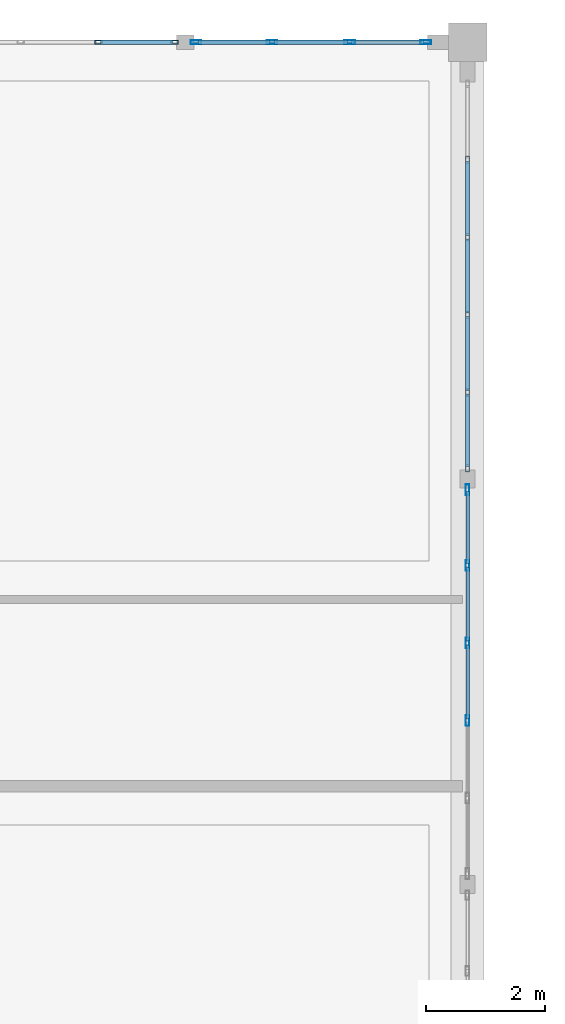
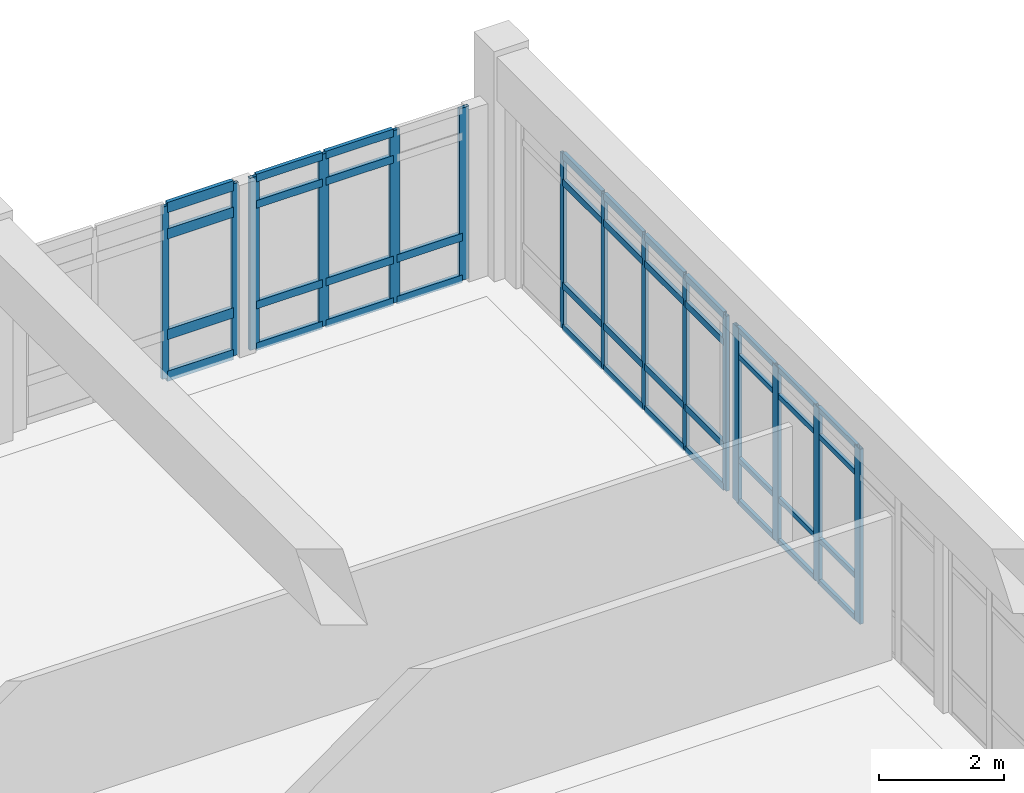
# One storey, part 67 of 109: 57 members, 4 elements without a shape of their own.
"""IFC4 building model written with IfcOpenShell, lengths in metres."""

from ifc_helpers import new_model, si_unit, direction, frame, origin, origin_2d, place, context, subcontext, project, spatial, hollow_rectangle, extrude, material, layer, layer_set, material_profile, profile_set, type_object, element, aggregate, save


model = new_model("IFC4")

# Units and contexts
model_context = context("Model", 3, precision=1e-05, world=origin(), true_north=direction((0.0, 1.0)))
body_context = subcontext(model_context, "Body", "Model", "MODEL_VIEW")
ifc_project = project(units=[si_unit("LENGTHUNIT", "METRE"), si_unit("AREAUNIT", "SQUARE_METRE"), si_unit("VOLUMEUNIT", "CUBIC_METRE"), si_unit("PLANEANGLEUNIT", "RADIAN"), si_unit("MASSUNIT", "GRAM", prefix="KILO")], contexts=[model_context])

# Site, building, storey
site_placement = place(None, origin())
site = spatial("IfcSite", under=ifc_project, at=site_placement, CompositionType="ELEMENT")
building_placement = place(site_placement, origin())
building = spatial("IfcBuilding", under=site, at=building_placement, Name="Fikremerkos Civic Library", CompositionType="ELEMENT")
storey_placement = place(building_placement, frame((0.0, 0.0, 5.39990234375)))
storey = spatial("IfcBuildingStorey", under=building, at=storey_placement, Name="L01", CompositionType="ELEMENT", Elevation=5.39990234375)

# Curtain wall, members
ifc_material = material(Name="Anodized aluminium Frame", Category="aluminium")
ifc_layer_1 = layer(ifc_material, 0.159912109375, Name="Anodized aluminium Frame")
ifc_layer_set_1 = layer_set([ifc_layer_1], Name="Anodized aluminium Frame")
curtain_wall_type_1 = type_object("IfcCurtainWallType", Name="Unitised curtain wall CW-05 3800x4100", PredefinedType="USERDEFINED", material=ifc_layer_set_1)
curtain_wall_1_placement = place(storey_placement, origin())
curtain_wall_1 = element("IfcCurtainWall", 1, at=curtain_wall_1_placement, inside=storey, type_object=curtain_wall_type_1, Name="Unitised curtain wall CW-05 L01 #113", ObjectType="UNITISED CURTAIN WALL", PredefinedType="USERDEFINED")
ifc_material_profile_1 = material_profile(ifc_material, hollow_rectangle(XDim=0.06494140625, YDim=0.179931640625, WallThickness=0.00439453125, at=origin_2d()), Name="ALU 180x65x4.5")
ifc_profile_set_1 = profile_set([ifc_material_profile_1], Name="Anodized aluminium Frame")
member_type_1 = type_object("IfcMemberType", Name="Curtain mullion CWM-01 ALU 180x65x4.5", PredefinedType="MULLION", material=ifc_profile_set_1)
member_1_placement = place(storey_placement, frame((134.39990234375, 110.051513671875, 0.0), z_axis=(0.0, 0.0, 1.0), x_axis=(1.0, 0.0, 0.0)))
member_1 = element("IfcMember", 2, at=member_1_placement, type_object=member_type_1, Name="CW-05 mullion 1", PredefinedType="MULLION", context=body_context, shape_type="SweptSolid", body=[
    extrude(hollow_rectangle(XDim=0.06494140625, YDim=0.179931640625, WallThickness=0.00439453125, at=origin_2d()), origin(), (0.0, 0.0, 1.0), 3.420166015625),
])
member_2_placement = place(storey_placement, frame((134.39990234375, 108.775390625, 0.0), z_axis=(0.0, 0.0, 1.0), x_axis=(1.0, 0.0, 0.0)))
member_2 = element("IfcMember", 3, at=member_2_placement, type_object=member_type_1, Name="CW-05 mullion 2", PredefinedType="MULLION", context=body_context, shape_type="SweptSolid", body=[
    extrude(hollow_rectangle(XDim=0.06494140625, YDim=0.179931640625, WallThickness=0.00439453125, at=origin_2d()), origin(), (0.0, 0.0, 1.0), 3.420166015625),
])
member_3_placement = place(storey_placement, frame((134.39990234375, 107.466796875, 0.0), z_axis=(0.0, 0.0, 1.0), x_axis=(1.0, 0.0, 0.0)))
member_3 = element("IfcMember", 4, at=member_3_placement, type_object=member_type_1, Name="CW-05 mullion 3", PredefinedType="MULLION", context=body_context, shape_type="SweptSolid", body=[
    extrude(hollow_rectangle(XDim=0.06494140625, YDim=0.179931640625, WallThickness=0.00439453125, at=origin_2d()), origin(), (0.0, 0.0, 1.0), 3.420166015625),
])
member_4_placement = place(storey_placement, frame((134.39990234375, 106.158203125, 0.0), z_axis=(0.0, 0.0, 1.0), x_axis=(1.0, 0.0, 0.0)))
member_4 = element("IfcMember", 5, at=member_4_placement, type_object=member_type_1, Name="CW-05 mullion 4", PredefinedType="MULLION", context=body_context, shape_type="SweptSolid", body=[
    extrude(hollow_rectangle(XDim=0.06494140625, YDim=0.179931640625, WallThickness=0.00439453125, at=origin_2d()), origin(), (0.0, 0.0, 1.0), 3.420166015625),
])

ifc_layer_2 = layer(ifc_material, 0.159912109375, Name="Anodized aluminium Frame")
ifc_layer_set_2 = layer_set([ifc_layer_2], Name="Anodized aluminium Frame")
curtain_wall_type_2 = type_object("IfcCurtainWallType", Name="Unitised curtain wall CW-17 4600x3600", PredefinedType="USERDEFINED", material=ifc_layer_set_2)
curtain_wall_2_placement = place(storey_placement, origin())
curtain_wall_2 = element("IfcCurtainWall", 6, at=curtain_wall_2_placement, inside=storey, type_object=curtain_wall_type_2, Name="Unitised curtain wall CW-17 L01 #143", ObjectType="UNITISED CURTAIN WALL", PredefinedType="USERDEFINED")
member_5_placement = place(storey_placement, frame((129.820068359375, 117.60009765625, 0.0), z_axis=(0.0, 0.0, 1.0), x_axis=(0.0, 1.0, 0.0)))
member_5 = element("IfcMember", 7, at=member_5_placement, type_object=member_type_1, Name="CW-17 mullion 1", PredefinedType="MULLION", context=body_context, shape_type="SweptSolid", body=[
    extrude(hollow_rectangle(XDim=0.06494140625, YDim=0.179931640625, WallThickness=0.00439453125, at=origin_2d()), origin(), (0.0, 0.0, 1.0), 3.3671875),
])
member_6_placement = place(storey_placement, frame((131.1005859375, 117.60009765625, 0.0), z_axis=(0.0, 0.0, 1.0), x_axis=(0.0, 1.0, 0.0)))
member_6 = element("IfcMember", 8, at=member_6_placement, type_object=member_type_1, Name="CW-17 mullion 2", PredefinedType="MULLION", context=body_context, shape_type="SweptSolid", body=[
    extrude(hollow_rectangle(XDim=0.06494140625, YDim=0.179931640625, WallThickness=0.00439453125, at=origin_2d()), origin(), (0.0, 0.0, 1.0), 3.3671875),
])
member_7_placement = place(storey_placement, frame((132.413818359375, 117.60009765625, 0.0), z_axis=(0.0, 0.0, 1.0), x_axis=(0.0, 1.0, 0.0)))
member_7 = element("IfcMember", 9, at=member_7_placement, type_object=member_type_1, Name="CW-17 mullion 3", PredefinedType="MULLION", context=body_context, shape_type="SweptSolid", body=[
    extrude(hollow_rectangle(XDim=0.06494140625, YDim=0.179931640625, WallThickness=0.00439453125, at=origin_2d()), origin(), (0.0, 0.0, 1.0), 3.3671875),
])
member_8_placement = place(storey_placement, frame((133.694580078125, 117.60009765625, 0.0), z_axis=(0.0, 0.0, 1.0), x_axis=(0.0, 1.0, 0.0)))
member_8 = element("IfcMember", 10, at=member_8_placement, type_object=member_type_1, Name="CW-17 mullion 4", PredefinedType="MULLION", context=body_context, shape_type="SweptSolid", body=[
    extrude(hollow_rectangle(XDim=0.06494140625, YDim=0.179931640625, WallThickness=0.00439453125, at=origin_2d()), origin(), (0.0, 0.0, 1.0), 3.3671875),
])

ifc_layer_3 = layer(ifc_material, 0.159912109375, Name="Anodized aluminium Frame")
ifc_layer_set_3 = layer_set([ifc_layer_3], Name="Anodized aluminium Frame")
curtain_wall_type_3 = type_object("IfcCurtainWallType", Name="Unitised curtain wall CW-04 3400x3600", PredefinedType="USERDEFINED", material=ifc_layer_set_3)
curtain_wall_3_placement = place(storey_placement, origin())
curtain_wall_3 = element("IfcCurtainWall", 11, at=curtain_wall_3_placement, inside=storey, type_object=curtain_wall_type_3, Name="Unitised curtain wall CW-04 L01 #112", ObjectType="UNITISED CURTAIN WALL", PredefinedType="USERDEFINED")
ifc_material_profile_2 = material_profile(ifc_material, hollow_rectangle(XDim=0.06005859375, YDim=0.1201171875, WallThickness=0.00390625, at=origin_2d()), Name="ALU 120x60x4")
ifc_profile_set_2 = profile_set([ifc_material_profile_2], Name="Anodized aluminium Frame")
member_type_2 = type_object("IfcMemberType", Name="Curtain mullion CWM-04 ALU 120x60x4", PredefinedType="MULLION", material=ifc_profile_set_2)
member_9_placement = place(storey_placement, frame((134.39990234375, 115.618408203125, 0.0), z_axis=(0.0, 0.0, 1.0), x_axis=(1.0, 0.0, 0.0)))
member_9 = element("IfcMember", 12, at=member_9_placement, type_object=member_type_2, Name="CW-04 mullion 2", PredefinedType="MULLION", context=body_context, shape_type="SweptSolid", body=[
    extrude(hollow_rectangle(XDim=0.06005859375, YDim=0.1201171875, WallThickness=0.00390625, at=origin_2d()), origin(), (0.0, 0.0, 1.0), 3.420166015625),
])
member_10_placement = place(storey_placement, frame((134.39990234375, 114.309814453125, 0.0), z_axis=(0.0, 0.0, 1.0), x_axis=(1.0, 0.0, 0.0)))
member_10 = element("IfcMember", 13, at=member_10_placement, type_object=member_type_2, Name="CW-04 mullion 3", PredefinedType="MULLION", context=body_context, shape_type="SweptSolid", body=[
    extrude(hollow_rectangle(XDim=0.06005859375, YDim=0.1201171875, WallThickness=0.00390625, at=origin_2d()), origin(), (0.0, 0.0, 1.0), 3.420166015625),
])
member_11_placement = place(storey_placement, frame((134.39990234375, 113.001220703125, 0.0), z_axis=(0.0, 0.0, 1.0), x_axis=(1.0, 0.0, 0.0)))
member_11 = element("IfcMember", 14, at=member_11_placement, type_object=member_type_2, Name="CW-04 mullion 4", PredefinedType="MULLION", context=body_context, shape_type="SweptSolid", body=[
    extrude(hollow_rectangle(XDim=0.06005859375, YDim=0.1201171875, WallThickness=0.00390625, at=origin_2d()), origin(), (0.0, 0.0, 1.0), 3.420166015625),
])
member_12_placement = place(storey_placement, frame((134.39990234375, 111.692626953125, 0.0), z_axis=(0.0, 0.0, 1.0), x_axis=(1.0, 0.0, 0.0)))
member_12 = element("IfcMember", 15, at=member_12_placement, type_object=member_type_2, Name="CW-04 mullion 5", PredefinedType="MULLION", context=body_context, shape_type="SweptSolid", body=[
    extrude(hollow_rectangle(XDim=0.06005859375, YDim=0.1201171875, WallThickness=0.00390625, at=origin_2d()), origin(), (0.0, 0.0, 1.0), 3.420166015625),
])
member_13_placement = place(storey_placement, frame((134.39990234375, 110.4140625, 0.0), z_axis=(0.0, 0.0, 1.0), x_axis=(1.0, 0.0, 0.0)))
member_13 = element("IfcMember", 16, at=member_13_placement, type_object=member_type_2, Name="CW-04 mullion 6", PredefinedType="MULLION", context=body_context, shape_type="SweptSolid", body=[
    extrude(hollow_rectangle(XDim=0.06005859375, YDim=0.1201171875, WallThickness=0.00390625, at=origin_2d()), origin(), (0.0, 0.0, 1.0), 3.420166015625),
])

ifc_layer_4 = layer(ifc_material, 0.159912109375, Name="Anodized aluminium Frame")
ifc_layer_set_4 = layer_set([ifc_layer_4], Name="Anodized aluminium Frame")
curtain_wall_type_4 = type_object("IfcCurtainWallType", Name="Unitised curtain wall CW-16 3100x4100", PredefinedType="USERDEFINED", material=ifc_layer_set_4)
curtain_wall_4_placement = place(storey_placement, origin())
curtain_wall_4 = element("IfcCurtainWall", 17, at=curtain_wall_4_placement, inside=storey, type_object=curtain_wall_type_4, Name="Unitised curtain wall CW-16 L01 #142", ObjectType="UNITISED CURTAIN WALL", PredefinedType="USERDEFINED")
member_14_placement = place(storey_placement, frame((128.17431640625, 117.60009765625, 0.0), z_axis=(0.0, 0.0, 1.0), x_axis=(0.0, 1.0, 0.0)))
member_14 = element("IfcMember", 18, at=member_14_placement, type_object=member_type_2, Name="CW-16 mullion 3", PredefinedType="MULLION", context=body_context, shape_type="SweptSolid", body=[
    extrude(hollow_rectangle(XDim=0.06005859375, YDim=0.1201171875, WallThickness=0.00390625, at=origin_2d()), origin(), (0.0, 0.0, 1.0), 3.3671875),
])
member_15_placement = place(storey_placement, frame((129.45751953125, 117.60009765625, 0.0), z_axis=(0.0, 0.0, 1.0), x_axis=(0.0, 1.0, 0.0)))
member_15 = element("IfcMember", 19, at=member_15_placement, type_object=member_type_2, Name="CW-16 mullion 4", PredefinedType="MULLION", context=body_context, shape_type="SweptSolid", body=[
    extrude(hollow_rectangle(XDim=0.06005859375, YDim=0.1201171875, WallThickness=0.00390625, at=origin_2d()), origin(), (0.0, 0.0, 1.0), 3.3671875),
])

# Member
ifc_material_profile_3 = material_profile(ifc_material, hollow_rectangle(XDim=0.070068359375, YDim=0.14990234375, WallThickness=0.00439453125, at=origin_2d()), Name="ALU 150x70x4.5")
ifc_profile_set_3 = profile_set([ifc_material_profile_3], Name="Anodized aluminium Frame")
member_type_3 = type_object("IfcMemberType", Name="Curtain transom CWT-01 ALU 150x70x4.5", PredefinedType="USERDEFINED", material=ifc_profile_set_3)
member_16_placement = place(storey_placement, frame((129.8525390625, 117.60009765625, 0.03515625), z_axis=(1.0, 0.0, 0.0), x_axis=(0.0, 1.0, 0.0)))
member_16 = element("IfcMember", 20, at=member_16_placement, type_object=member_type_3, Name="CW-17 transom 1.1", ObjectType="TRANSOM", PredefinedType="USERDEFINED", context=body_context, shape_type="SweptSolid", body=[
    extrude(hollow_rectangle(XDim=0.070068359375, YDim=0.14990234375, WallThickness=0.00439453125, at=origin_2d()), origin(), (0.0, 0.0, 1.0), 1.215576171875),
])

member_17_placement = place(storey_placement, frame((129.8525390625, 117.60009765625, 0.85009765625), z_axis=(1.0, 0.0, 0.0), x_axis=(0.0, 1.0, 0.0)))
member_17 = element("IfcMember", 21, at=member_17_placement, type_object=member_type_3, Name="CW-17 transom 1.2", ObjectType="TRANSOM", PredefinedType="USERDEFINED", context=body_context, shape_type="SweptSolid", body=[
    extrude(hollow_rectangle(XDim=0.070068359375, YDim=0.14990234375, WallThickness=0.00439453125, at=origin_2d()), origin(), (0.0, 0.0, 1.0), 1.215576171875),
])

member_18_placement = place(storey_placement, frame((129.8525390625, 117.60009765625, 2.8173828125), z_axis=(1.0, 0.0, 0.0), x_axis=(0.0, 1.0, 0.0)))
member_18 = element("IfcMember", 22, at=member_18_placement, type_object=member_type_3, Name="CW-17 transom 1.3", ObjectType="TRANSOM", PredefinedType="USERDEFINED", context=body_context, shape_type="SweptSolid", body=[
    extrude(hollow_rectangle(XDim=0.070068359375, YDim=0.14990234375, WallThickness=0.00439453125, at=origin_2d()), origin(), (0.0, 0.0, 1.0), 1.215576171875),
])

member_19_placement = place(storey_placement, frame((129.8525390625, 117.60009765625, 3.332275390625), z_axis=(1.0, 0.0, 0.0), x_axis=(0.0, 1.0, 0.0)))
member_19 = element("IfcMember", 23, at=member_19_placement, type_object=member_type_3, Name="CW-17 transom 1.4", ObjectType="TRANSOM", PredefinedType="USERDEFINED", context=body_context, shape_type="SweptSolid", body=[
    extrude(hollow_rectangle(XDim=0.070068359375, YDim=0.14990234375, WallThickness=0.00439453125, at=origin_2d()), origin(), (0.0, 0.0, 1.0), 1.215576171875),
])

member_20_placement = place(storey_placement, frame((131.133056640625, 117.60009765625, 0.03515625), z_axis=(1.0, 0.0, 0.0), x_axis=(0.0, 1.0, 0.0)))
member_20 = element("IfcMember", 24, at=member_20_placement, type_object=member_type_3, Name="CW-17 transom 2.1", ObjectType="TRANSOM", PredefinedType="USERDEFINED", context=body_context, shape_type="SweptSolid", body=[
    extrude(hollow_rectangle(XDim=0.070068359375, YDim=0.14990234375, WallThickness=0.00439453125, at=origin_2d()), origin(), (0.0, 0.0, 1.0), 1.248291015625),
])

member_21_placement = place(storey_placement, frame((131.133056640625, 117.60009765625, 0.85009765625), z_axis=(1.0, 0.0, 0.0), x_axis=(0.0, 1.0, 0.0)))
member_21 = element("IfcMember", 25, at=member_21_placement, type_object=member_type_3, Name="CW-17 transom 2.2", ObjectType="TRANSOM", PredefinedType="USERDEFINED", context=body_context, shape_type="SweptSolid", body=[
    extrude(hollow_rectangle(XDim=0.070068359375, YDim=0.14990234375, WallThickness=0.00439453125, at=origin_2d()), origin(), (0.0, 0.0, 1.0), 1.248291015625),
])

member_22_placement = place(storey_placement, frame((131.133056640625, 117.60009765625, 2.8173828125), z_axis=(1.0, 0.0, 0.0), x_axis=(0.0, 1.0, 0.0)))
member_22 = element("IfcMember", 26, at=member_22_placement, type_object=member_type_3, Name="CW-17 transom 2.3", ObjectType="TRANSOM", PredefinedType="USERDEFINED", context=body_context, shape_type="SweptSolid", body=[
    extrude(hollow_rectangle(XDim=0.070068359375, YDim=0.14990234375, WallThickness=0.00439453125, at=origin_2d()), origin(), (0.0, 0.0, 1.0), 1.248291015625),
])

member_23_placement = place(storey_placement, frame((131.133056640625, 117.60009765625, 3.332275390625), z_axis=(1.0, 0.0, 0.0), x_axis=(0.0, 1.0, 0.0)))
member_23 = element("IfcMember", 27, at=member_23_placement, type_object=member_type_3, Name="CW-17 transom 2.4", ObjectType="TRANSOM", PredefinedType="USERDEFINED", context=body_context, shape_type="SweptSolid", body=[
    extrude(hollow_rectangle(XDim=0.070068359375, YDim=0.14990234375, WallThickness=0.00439453125, at=origin_2d()), origin(), (0.0, 0.0, 1.0), 1.248291015625),
])

member_24_placement = place(storey_placement, frame((132.4462890625, 117.60009765625, 0.03515625), z_axis=(1.0, 0.0, 0.0), x_axis=(0.0, 1.0, 0.0)))
member_24 = element("IfcMember", 28, at=member_24_placement, type_object=member_type_3, Name="CW-17 transom 3.1", ObjectType="TRANSOM", PredefinedType="USERDEFINED", context=body_context, shape_type="SweptSolid", body=[
    extrude(hollow_rectangle(XDim=0.070068359375, YDim=0.14990234375, WallThickness=0.00439453125, at=origin_2d()), origin(), (0.0, 0.0, 1.0), 1.2158203125),
])

member_25_placement = place(storey_placement, frame((132.4462890625, 117.60009765625, 0.85009765625), z_axis=(1.0, 0.0, 0.0), x_axis=(0.0, 1.0, 0.0)))
member_25 = element("IfcMember", 29, at=member_25_placement, type_object=member_type_3, Name="CW-17 transom 3.2", ObjectType="TRANSOM", PredefinedType="USERDEFINED", context=body_context, shape_type="SweptSolid", body=[
    extrude(hollow_rectangle(XDim=0.070068359375, YDim=0.14990234375, WallThickness=0.00439453125, at=origin_2d()), origin(), (0.0, 0.0, 1.0), 1.2158203125),
])

aggregate(curtain_wall_2, [member_5, member_6, member_7, member_8, member_16, member_17, member_18, member_19, member_20, member_21, member_22, member_23, member_24, member_25])

ifc_material_profile_4 = material_profile(ifc_material, hollow_rectangle(XDim=0.06494140625, YDim=0.135009765625, WallThickness=0.00439453125, at=origin_2d()), Name="ALU 135x65x4.5")
ifc_profile_set_4 = profile_set([ifc_material_profile_4], Name="Anodized aluminium Frame")
member_type_4 = type_object("IfcMemberType", Name="Curtain transom CWT-02 ALU 135x65x4.5", PredefinedType="USERDEFINED", material=ifc_profile_set_4)
member_26_placement = place(storey_placement, frame((134.39990234375, 115.58837890625, 0.03271484375), z_axis=(0.0, -1.0, 0.0), x_axis=(1.0, 0.0, 0.0)))
member_26 = element("IfcMember", 30, at=member_26_placement, type_object=member_type_4, Name="CW-04 transom 2.1", ObjectType="TRANSOM", PredefinedType="USERDEFINED", context=body_context, shape_type="SweptSolid", body=[
    extrude(hollow_rectangle(XDim=0.06494140625, YDim=0.135009765625, WallThickness=0.00439453125, at=origin_2d()), origin(), (0.0, 0.0, 1.0), 1.24853515625),
])

member_27_placement = place(storey_placement, frame((134.39990234375, 115.58837890625, 0.85009765625), z_axis=(0.0, -1.0, 0.0), x_axis=(1.0, 0.0, 0.0)))
member_27 = element("IfcMember", 31, at=member_27_placement, type_object=member_type_4, Name="CW-04 transom 2.2", ObjectType="TRANSOM", PredefinedType="USERDEFINED", context=body_context, shape_type="SweptSolid", body=[
    extrude(hollow_rectangle(XDim=0.06494140625, YDim=0.135009765625, WallThickness=0.00439453125, at=origin_2d()), origin(), (0.0, 0.0, 1.0), 1.24853515625),
])

member_28_placement = place(storey_placement, frame((134.39990234375, 115.58837890625, 2.8701171875), z_axis=(0.0, -1.0, 0.0), x_axis=(1.0, 0.0, 0.0)))
member_28 = element("IfcMember", 32, at=member_28_placement, type_object=member_type_4, Name="CW-04 transom 2.3", ObjectType="TRANSOM", PredefinedType="USERDEFINED", context=body_context, shape_type="SweptSolid", body=[
    extrude(hollow_rectangle(XDim=0.06494140625, YDim=0.135009765625, WallThickness=0.00439453125, at=origin_2d()), origin(), (0.0, 0.0, 1.0), 1.24853515625),
])

member_29_placement = place(storey_placement, frame((134.39990234375, 115.58837890625, 3.3876953125), z_axis=(0.0, -1.0, 0.0), x_axis=(1.0, 0.0, 0.0)))
member_29 = element("IfcMember", 33, at=member_29_placement, type_object=member_type_4, Name="CW-04 transom 2.4", ObjectType="TRANSOM", PredefinedType="USERDEFINED", context=body_context, shape_type="SweptSolid", body=[
    extrude(hollow_rectangle(XDim=0.06494140625, YDim=0.135009765625, WallThickness=0.00439453125, at=origin_2d()), origin(), (0.0, 0.0, 1.0), 1.24853515625),
])

member_30_placement = place(storey_placement, frame((134.39990234375, 114.27978515625, 0.03271484375), z_axis=(0.0, -1.0, 0.0), x_axis=(1.0, 0.0, 0.0)))
member_30 = element("IfcMember", 34, at=member_30_placement, type_object=member_type_4, Name="CW-04 transom 3.1", ObjectType="TRANSOM", PredefinedType="USERDEFINED", context=body_context, shape_type="SweptSolid", body=[
    extrude(hollow_rectangle(XDim=0.06494140625, YDim=0.135009765625, WallThickness=0.00439453125, at=origin_2d()), origin(), (0.0, 0.0, 1.0), 1.24853515625),
])

member_31_placement = place(storey_placement, frame((134.39990234375, 114.27978515625, 0.85009765625), z_axis=(0.0, -1.0, 0.0), x_axis=(1.0, 0.0, 0.0)))
member_31 = element("IfcMember", 35, at=member_31_placement, type_object=member_type_4, Name="CW-04 transom 3.2", ObjectType="TRANSOM", PredefinedType="USERDEFINED", context=body_context, shape_type="SweptSolid", body=[
    extrude(hollow_rectangle(XDim=0.06494140625, YDim=0.135009765625, WallThickness=0.00439453125, at=origin_2d()), origin(), (0.0, 0.0, 1.0), 1.24853515625),
])

member_32_placement = place(storey_placement, frame((134.39990234375, 114.27978515625, 2.8701171875), z_axis=(0.0, -1.0, 0.0), x_axis=(1.0, 0.0, 0.0)))
member_32 = element("IfcMember", 36, at=member_32_placement, type_object=member_type_4, Name="CW-04 transom 3.3", ObjectType="TRANSOM", PredefinedType="USERDEFINED", context=body_context, shape_type="SweptSolid", body=[
    extrude(hollow_rectangle(XDim=0.06494140625, YDim=0.135009765625, WallThickness=0.00439453125, at=origin_2d()), origin(), (0.0, 0.0, 1.0), 1.24853515625),
])

member_33_placement = place(storey_placement, frame((134.39990234375, 114.27978515625, 3.3876953125), z_axis=(0.0, -1.0, 0.0), x_axis=(1.0, 0.0, 0.0)))
member_33 = element("IfcMember", 37, at=member_33_placement, type_object=member_type_4, Name="CW-04 transom 3.4", ObjectType="TRANSOM", PredefinedType="USERDEFINED", context=body_context, shape_type="SweptSolid", body=[
    extrude(hollow_rectangle(XDim=0.06494140625, YDim=0.135009765625, WallThickness=0.00439453125, at=origin_2d()), origin(), (0.0, 0.0, 1.0), 1.24853515625),
])

member_34_placement = place(storey_placement, frame((134.39990234375, 112.97119140625, 0.03271484375), z_axis=(0.0, -1.0, 0.0), x_axis=(1.0, 0.0, 0.0)))
member_34 = element("IfcMember", 38, at=member_34_placement, type_object=member_type_4, Name="CW-04 transom 4.1", ObjectType="TRANSOM", PredefinedType="USERDEFINED", context=body_context, shape_type="SweptSolid", body=[
    extrude(hollow_rectangle(XDim=0.06494140625, YDim=0.135009765625, WallThickness=0.00439453125, at=origin_2d()), origin(), (0.0, 0.0, 1.0), 1.24853515625),
])

member_35_placement = place(storey_placement, frame((134.39990234375, 112.97119140625, 0.85009765625), z_axis=(0.0, -1.0, 0.0), x_axis=(1.0, 0.0, 0.0)))
member_35 = element("IfcMember", 39, at=member_35_placement, type_object=member_type_4, Name="CW-04 transom 4.2", ObjectType="TRANSOM", PredefinedType="USERDEFINED", context=body_context, shape_type="SweptSolid", body=[
    extrude(hollow_rectangle(XDim=0.06494140625, YDim=0.135009765625, WallThickness=0.00439453125, at=origin_2d()), origin(), (0.0, 0.0, 1.0), 1.24853515625),
])

member_36_placement = place(storey_placement, frame((134.39990234375, 112.97119140625, 2.8701171875), z_axis=(0.0, -1.0, 0.0), x_axis=(1.0, 0.0, 0.0)))
member_36 = element("IfcMember", 40, at=member_36_placement, type_object=member_type_4, Name="CW-04 transom 4.3", ObjectType="TRANSOM", PredefinedType="USERDEFINED", context=body_context, shape_type="SweptSolid", body=[
    extrude(hollow_rectangle(XDim=0.06494140625, YDim=0.135009765625, WallThickness=0.00439453125, at=origin_2d()), origin(), (0.0, 0.0, 1.0), 1.24853515625),
])

member_37_placement = place(storey_placement, frame((134.39990234375, 112.97119140625, 3.3876953125), z_axis=(0.0, -1.0, 0.0), x_axis=(1.0, 0.0, 0.0)))
member_37 = element("IfcMember", 41, at=member_37_placement, type_object=member_type_4, Name="CW-04 transom 4.4", ObjectType="TRANSOM", PredefinedType="USERDEFINED", context=body_context, shape_type="SweptSolid", body=[
    extrude(hollow_rectangle(XDim=0.06494140625, YDim=0.135009765625, WallThickness=0.00439453125, at=origin_2d()), origin(), (0.0, 0.0, 1.0), 1.24853515625),
])

member_38_placement = place(storey_placement, frame((134.39990234375, 111.66259765625, 0.03271484375), z_axis=(0.0, -1.0, 0.0), x_axis=(1.0, 0.0, 0.0)))
member_38 = element("IfcMember", 42, at=member_38_placement, type_object=member_type_4, Name="CW-04 transom 5.1", ObjectType="TRANSOM", PredefinedType="USERDEFINED", context=body_context, shape_type="SweptSolid", body=[
    extrude(hollow_rectangle(XDim=0.06494140625, YDim=0.135009765625, WallThickness=0.00439453125, at=origin_2d()), origin(), (0.0, 0.0, 1.0), 1.218505859375),
])

member_39_placement = place(storey_placement, frame((134.39990234375, 111.66259765625, 0.85009765625), z_axis=(0.0, -1.0, 0.0), x_axis=(1.0, 0.0, 0.0)))
member_39 = element("IfcMember", 43, at=member_39_placement, type_object=member_type_4, Name="CW-04 transom 5.2", ObjectType="TRANSOM", PredefinedType="USERDEFINED", context=body_context, shape_type="SweptSolid", body=[
    extrude(hollow_rectangle(XDim=0.06494140625, YDim=0.135009765625, WallThickness=0.00439453125, at=origin_2d()), origin(), (0.0, 0.0, 1.0), 1.218505859375),
])

member_40_placement = place(storey_placement, frame((134.39990234375, 111.66259765625, 2.8701171875), z_axis=(0.0, -1.0, 0.0), x_axis=(1.0, 0.0, 0.0)))
member_40 = element("IfcMember", 44, at=member_40_placement, type_object=member_type_4, Name="CW-04 transom 5.3", ObjectType="TRANSOM", PredefinedType="USERDEFINED", context=body_context, shape_type="SweptSolid", body=[
    extrude(hollow_rectangle(XDim=0.06494140625, YDim=0.135009765625, WallThickness=0.00439453125, at=origin_2d()), origin(), (0.0, 0.0, 1.0), 1.218505859375),
])

member_41_placement = place(storey_placement, frame((134.39990234375, 111.66259765625, 3.3876953125), z_axis=(0.0, -1.0, 0.0), x_axis=(1.0, 0.0, 0.0)))
member_41 = element("IfcMember", 45, at=member_41_placement, type_object=member_type_4, Name="CW-04 transom 5.4", ObjectType="TRANSOM", PredefinedType="USERDEFINED", context=body_context, shape_type="SweptSolid", body=[
    extrude(hollow_rectangle(XDim=0.06494140625, YDim=0.135009765625, WallThickness=0.00439453125, at=origin_2d()), origin(), (0.0, 0.0, 1.0), 1.218505859375),
])

aggregate(curtain_wall_3, [member_9, member_10, member_11, member_12, member_13, member_26, member_27, member_28, member_29, member_30, member_31, member_32, member_33, member_34, member_35, member_36, member_37, member_38, member_39, member_40, member_41])

ifc_material_profile_5 = material_profile(ifc_material, hollow_rectangle(XDim=0.06005859375, YDim=0.10009765625, WallThickness=0.00390625, at=origin_2d()), Name="ALU 100x60x4")
ifc_profile_set_5 = profile_set([ifc_material_profile_5], Name="Anodized aluminium Frame")
member_type_5 = type_object("IfcMemberType", Name="Curtain transom CWT-03 ALU 100x60x4", PredefinedType="USERDEFINED", material=ifc_profile_set_5)
member_42_placement = place(storey_placement, frame((134.39990234375, 110.01904296875, 0.030029296875), z_axis=(0.0, -1.0, 0.0), x_axis=(1.0, 0.0, 0.0)))
member_42 = element("IfcMember", 46, at=member_42_placement, type_object=member_type_5, Name="CW-05 transom 1.1", ObjectType="TRANSOM", PredefinedType="USERDEFINED", context=body_context, shape_type="SweptSolid", body=[
    extrude(hollow_rectangle(XDim=0.06005859375, YDim=0.10009765625, WallThickness=0.00390625, at=origin_2d()), origin(), (0.0, 0.0, 1.0), 1.211181640625),
])

member_43_placement = place(storey_placement, frame((134.39990234375, 110.01904296875, 0.85009765625), z_axis=(0.0, -1.0, 0.0), x_axis=(1.0, 0.0, 0.0)))
member_43 = element("IfcMember", 47, at=member_43_placement, type_object=member_type_5, Name="CW-05 transom 1.2", ObjectType="TRANSOM", PredefinedType="USERDEFINED", context=body_context, shape_type="SweptSolid", body=[
    extrude(hollow_rectangle(XDim=0.06005859375, YDim=0.10009765625, WallThickness=0.00390625, at=origin_2d()), origin(), (0.0, 0.0, 1.0), 1.211181640625),
])

member_44_placement = place(storey_placement, frame((134.39990234375, 110.01904296875, 2.8701171875), z_axis=(0.0, -1.0, 0.0), x_axis=(1.0, 0.0, 0.0)))
member_44 = element("IfcMember", 48, at=member_44_placement, type_object=member_type_5, Name="CW-05 transom 1.3", ObjectType="TRANSOM", PredefinedType="USERDEFINED", context=body_context, shape_type="SweptSolid", body=[
    extrude(hollow_rectangle(XDim=0.06005859375, YDim=0.10009765625, WallThickness=0.00390625, at=origin_2d()), origin(), (0.0, 0.0, 1.0), 1.211181640625),
])

member_45_placement = place(storey_placement, frame((134.39990234375, 110.01904296875, 3.39013671875), z_axis=(0.0, -1.0, 0.0), x_axis=(1.0, 0.0, 0.0)))
member_45 = element("IfcMember", 49, at=member_45_placement, type_object=member_type_5, Name="CW-05 transom 1.4", ObjectType="TRANSOM", PredefinedType="USERDEFINED", context=body_context, shape_type="SweptSolid", body=[
    extrude(hollow_rectangle(XDim=0.06005859375, YDim=0.10009765625, WallThickness=0.00390625, at=origin_2d()), origin(), (0.0, 0.0, 1.0), 1.211181640625),
])

member_46_placement = place(storey_placement, frame((134.39990234375, 108.742919921875, 0.030029296875), z_axis=(0.0, -1.0, 0.0), x_axis=(1.0, 0.0, 0.0)))
member_46 = element("IfcMember", 50, at=member_46_placement, type_object=member_type_5, Name="CW-05 transom 2.1", ObjectType="TRANSOM", PredefinedType="USERDEFINED", context=body_context, shape_type="SweptSolid", body=[
    extrude(hollow_rectangle(XDim=0.06005859375, YDim=0.10009765625, WallThickness=0.00390625, at=origin_2d()), origin(), (0.0, 0.0, 1.0), 1.24365234375),
])

member_47_placement = place(storey_placement, frame((134.39990234375, 108.742919921875, 0.85009765625), z_axis=(0.0, -1.0, 0.0), x_axis=(1.0, 0.0, 0.0)))
member_47 = element("IfcMember", 51, at=member_47_placement, type_object=member_type_5, Name="CW-05 transom 2.2", ObjectType="TRANSOM", PredefinedType="USERDEFINED", context=body_context, shape_type="SweptSolid", body=[
    extrude(hollow_rectangle(XDim=0.06005859375, YDim=0.10009765625, WallThickness=0.00390625, at=origin_2d()), origin(), (0.0, 0.0, 1.0), 1.24365234375),
])

member_48_placement = place(storey_placement, frame((134.39990234375, 108.742919921875, 2.8701171875), z_axis=(0.0, -1.0, 0.0), x_axis=(1.0, 0.0, 0.0)))
member_48 = element("IfcMember", 52, at=member_48_placement, type_object=member_type_5, Name="CW-05 transom 2.3", ObjectType="TRANSOM", PredefinedType="USERDEFINED", context=body_context, shape_type="SweptSolid", body=[
    extrude(hollow_rectangle(XDim=0.06005859375, YDim=0.10009765625, WallThickness=0.00390625, at=origin_2d()), origin(), (0.0, 0.0, 1.0), 1.24365234375),
])

member_49_placement = place(storey_placement, frame((134.39990234375, 108.742919921875, 3.39013671875), z_axis=(0.0, -1.0, 0.0), x_axis=(1.0, 0.0, 0.0)))
member_49 = element("IfcMember", 53, at=member_49_placement, type_object=member_type_5, Name="CW-05 transom 2.4", ObjectType="TRANSOM", PredefinedType="USERDEFINED", context=body_context, shape_type="SweptSolid", body=[
    extrude(hollow_rectangle(XDim=0.06005859375, YDim=0.10009765625, WallThickness=0.00390625, at=origin_2d()), origin(), (0.0, 0.0, 1.0), 1.24365234375),
])

member_50_placement = place(storey_placement, frame((134.39990234375, 107.434326171875, 0.030029296875), z_axis=(0.0, -1.0, 0.0), x_axis=(1.0, 0.0, 0.0)))
member_50 = element("IfcMember", 54, at=member_50_placement, type_object=member_type_5, Name="CW-05 transom 3.1", ObjectType="TRANSOM", PredefinedType="USERDEFINED", context=body_context, shape_type="SweptSolid", body=[
    extrude(hollow_rectangle(XDim=0.06005859375, YDim=0.10009765625, WallThickness=0.00390625, at=origin_2d()), origin(), (0.0, 0.0, 1.0), 1.24365234375),
])

member_51_placement = place(storey_placement, frame((134.39990234375, 107.434326171875, 0.85009765625), z_axis=(0.0, -1.0, 0.0), x_axis=(1.0, 0.0, 0.0)))
member_51 = element("IfcMember", 55, at=member_51_placement, type_object=member_type_5, Name="CW-05 transom 3.2", ObjectType="TRANSOM", PredefinedType="USERDEFINED", context=body_context, shape_type="SweptSolid", body=[
    extrude(hollow_rectangle(XDim=0.06005859375, YDim=0.10009765625, WallThickness=0.00390625, at=origin_2d()), origin(), (0.0, 0.0, 1.0), 1.24365234375),
])

member_52_placement = place(storey_placement, frame((134.39990234375, 107.434326171875, 2.8701171875), z_axis=(0.0, -1.0, 0.0), x_axis=(1.0, 0.0, 0.0)))
member_52 = element("IfcMember", 56, at=member_52_placement, type_object=member_type_5, Name="CW-05 transom 3.3", ObjectType="TRANSOM", PredefinedType="USERDEFINED", context=body_context, shape_type="SweptSolid", body=[
    extrude(hollow_rectangle(XDim=0.06005859375, YDim=0.10009765625, WallThickness=0.00390625, at=origin_2d()), origin(), (0.0, 0.0, 1.0), 1.24365234375),
])

member_53_placement = place(storey_placement, frame((134.39990234375, 107.434326171875, 3.39013671875), z_axis=(0.0, -1.0, 0.0), x_axis=(1.0, 0.0, 0.0)))
member_53 = element("IfcMember", 57, at=member_53_placement, type_object=member_type_5, Name="CW-05 transom 3.4", ObjectType="TRANSOM", PredefinedType="USERDEFINED", context=body_context, shape_type="SweptSolid", body=[
    extrude(hollow_rectangle(XDim=0.06005859375, YDim=0.10009765625, WallThickness=0.00390625, at=origin_2d()), origin(), (0.0, 0.0, 1.0), 1.24365234375),
])

aggregate(curtain_wall_1, [member_1, member_2, member_3, member_4, member_42, member_43, member_44, member_45, member_46, member_47, member_48, member_49, member_50, member_51, member_52, member_53])

ifc_material_profile_6 = material_profile(ifc_material, hollow_rectangle(XDim=0.070068359375, YDim=0.199951171875, WallThickness=0.0048828125, at=origin_2d()), Name="ALU 200x70x5")
ifc_profile_set_6 = profile_set([ifc_material_profile_6], Name="Anodized aluminium Frame")
member_type_6 = type_object("IfcMemberType", Name="Curtain transom CWT-04 ALU 200x70x5", PredefinedType="USERDEFINED", material=ifc_profile_set_6)
member_54_placement = place(storey_placement, frame((128.204345703125, 117.60009765625, 0.03515625), z_axis=(1.0, 0.0, 0.0), x_axis=(0.0, 1.0, 0.0)))
member_54 = element("IfcMember", 58, at=member_54_placement, type_object=member_type_6, Name="CW-16 transom 3.1", ObjectType="TRANSOM", PredefinedType="USERDEFINED", context=body_context, shape_type="SweptSolid", body=[
    extrude(hollow_rectangle(XDim=0.070068359375, YDim=0.199951171875, WallThickness=0.0048828125, at=origin_2d()), origin(), (0.0, 0.0, 1.0), 1.22314453125),
])

member_55_placement = place(storey_placement, frame((128.204345703125, 117.60009765625, 0.85009765625), z_axis=(1.0, 0.0, 0.0), x_axis=(0.0, 1.0, 0.0)))
member_55 = element("IfcMember", 59, at=member_55_placement, type_object=member_type_6, Name="CW-16 transom 3.2", ObjectType="TRANSOM", PredefinedType="USERDEFINED", context=body_context, shape_type="SweptSolid", body=[
    extrude(hollow_rectangle(XDim=0.070068359375, YDim=0.199951171875, WallThickness=0.0048828125, at=origin_2d()), origin(), (0.0, 0.0, 1.0), 1.22314453125),
])

member_56_placement = place(storey_placement, frame((128.204345703125, 117.60009765625, 2.8173828125), z_axis=(1.0, 0.0, 0.0), x_axis=(0.0, 1.0, 0.0)))
member_56 = element("IfcMember", 60, at=member_56_placement, type_object=member_type_6, Name="CW-16 transom 3.3", ObjectType="TRANSOM", PredefinedType="USERDEFINED", context=body_context, shape_type="SweptSolid", body=[
    extrude(hollow_rectangle(XDim=0.070068359375, YDim=0.199951171875, WallThickness=0.0048828125, at=origin_2d()), origin(), (0.0, 0.0, 1.0), 1.22314453125),
])

member_57_placement = place(storey_placement, frame((128.204345703125, 117.60009765625, 3.332275390625), z_axis=(1.0, 0.0, 0.0), x_axis=(0.0, 1.0, 0.0)))
member_57 = element("IfcMember", 61, at=member_57_placement, type_object=member_type_6, Name="CW-16 transom 3.4", ObjectType="TRANSOM", PredefinedType="USERDEFINED", context=body_context, shape_type="SweptSolid", body=[
    extrude(hollow_rectangle(XDim=0.070068359375, YDim=0.199951171875, WallThickness=0.0048828125, at=origin_2d()), origin(), (0.0, 0.0, 1.0), 1.22314453125),
])

aggregate(curtain_wall_4, [member_14, member_15, member_54, member_55, member_56, member_57])

save(model, "model.ifc")
